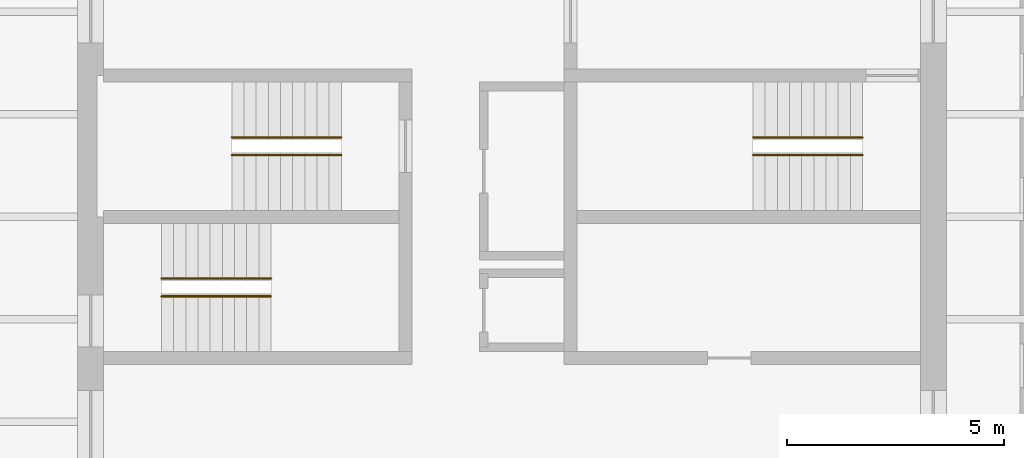
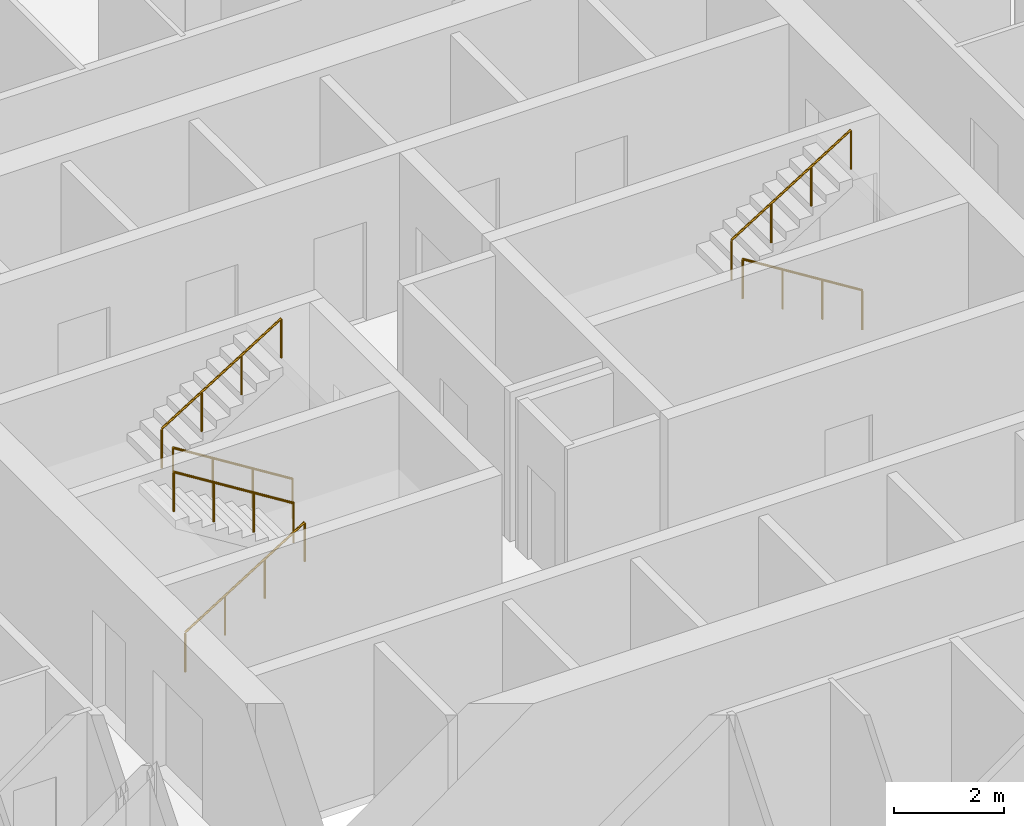
# One storey, part 9 of 9: 6 railings.
"""IFC4 building model written with IfcOpenShell, lengths in metres."""

from ifc_helpers import new_model, si_unit, direction, frame, origin, origin_2d, place, context, subcontext, project, spatial, circle, extrude, material, type_object, element, save


model = new_model("IFC4")

# Units and contexts
model_context = context("Model", 3, precision=1e-05, world=origin(), true_north=direction((0.0, 1.0)))
body_context = subcontext(model_context, "Body", "Model", "MODEL_VIEW")
ifc_project = project(units=[si_unit("LENGTHUNIT", "METRE"), si_unit("AREAUNIT", "SQUARE_METRE"), si_unit("VOLUMEUNIT", "CUBIC_METRE"), si_unit("PLANEANGLEUNIT", "RADIAN"), si_unit("MASSUNIT", "GRAM", prefix="KILO")], contexts=[model_context])

# Site, building, storey
site_placement = place(None, origin())
site = spatial("IfcSite", under=ifc_project, at=site_placement, CompositionType="ELEMENT")
building_placement = place(site_placement, origin())
building = spatial("IfcBuilding", under=site, at=building_placement, Name="Turquesa Mirador Hotel Tower", CompositionType="ELEMENT")
storey_placement = place(building_placement, frame((0.0, 0.0, 145.89990234375)))
storey = spatial("IfcBuildingStorey", under=building, at=storey_placement, Name="L39", CompositionType="ELEMENT", Elevation=145.89990234375)

# Railings
ifc_material = material(Name="Painted steel handrail", Category="steel")
railing_type = type_object("IfcRailingType", Name="HANDRAIL 900 STEEL", PredefinedType="HANDRAIL", material=ifc_material)
railing_1_placement = place(storey_placement, frame((51.070068359375, 46.419921875, 0.175048828125)))
element("IfcRailing", 1, at=railing_1_placement, inside=storey, type_object=railing_type, Name="Handrail ST1", PredefinedType="HANDRAIL", context=body_context, shape_type="SweptSolid", body=[
    extrude(circle(Radius=0.02392578125, at=origin_2d()), frame((0.0, 0.0, 0.8759765625), z_axis=(-0.848007534815, 0.0, 0.529984170421), x_axis=(0.0, -1.0, 0.0)), (0.0, 0.0, 1.0), 2.9716796875),
    extrude(circle(Radius=0.02099609375, at=origin_2d()), origin(), (0.0, 0.0, 1.0), 0.851806640625),
    extrude(circle(Radius=0.02099609375, at=origin_2d()), frame((-0.840087890625, 0.0, 0.52490234375)), (0.0, 0.0, 1.0), 0.851806640625),
    extrude(circle(Radius=0.02099609375, at=origin_2d()), frame((-1.679931640625, 0.0, 1.050048828125)), (0.0, 0.0, 1.0), 0.851806640625),
    extrude(circle(Radius=0.02099609375, at=origin_2d()), frame((-2.52001953125, 0.0, 1.574951171875)), (0.0, 0.0, 1.0), 0.851806640625),
])
for number, where, name in (
    (2, (48.550048828125, 46.830078125, 1.925048828125), "Handrail ST1"),
    (3, (46.929931640625, 43.169921875, 0.175048828125), "Handrail ST2"),
):
    element("IfcRailing", number, at=place(storey_placement, frame(where)), inside=storey, type_object=railing_type, Name=name, PredefinedType="HANDRAIL", context=body_context, shape_type="SweptSolid", body=[
        extrude(circle(Radius=0.02392578125, at=origin_2d()), frame((0.0, 0.0, 0.8759765625), z_axis=(0.848007534815, 0.0, 0.529984170421), x_axis=(0.0, 1.0, 0.0)), (0.0, 0.0, 1.0), 2.9716796875),
        extrude(circle(Radius=0.02099609375, at=origin_2d()), origin(), (0.0, 0.0, 1.0), 0.851806640625),
        extrude(circle(Radius=0.02099609375, at=origin_2d()), frame((0.840087890625, 0.0, 0.52490234375)), (0.0, 0.0, 1.0), 0.851806640625),
        extrude(circle(Radius=0.02099609375, at=origin_2d()), frame((1.679931640625, 0.0, 1.050048828125)), (0.0, 0.0, 1.0), 0.851806640625),
        extrude(circle(Radius=0.02099609375, at=origin_2d()), frame((2.52001953125, 0.0, 1.574951171875)), (0.0, 0.0, 1.0), 0.851806640625),
    ])
for number, where, name in (
    (4, (49.449951171875, 43.580078125, 1.925048828125), "Handrail ST2"),
    (5, (63.070068359375, 46.419921875, 0.175048828125), "Handrail ST3"),
):
    element("IfcRailing", number, at=place(storey_placement, frame(where)), inside=storey, type_object=railing_type, Name=name, PredefinedType="HANDRAIL", context=body_context, shape_type="SweptSolid", body=[
        extrude(circle(Radius=0.02392578125, at=origin_2d()), frame((0.0, 0.0, 0.8759765625), z_axis=(-0.848007534815, 0.0, 0.529984170421), x_axis=(0.0, -1.0, 0.0)), (0.0, 0.0, 1.0), 2.9716796875),
        extrude(circle(Radius=0.02099609375, at=origin_2d()), origin(), (0.0, 0.0, 1.0), 0.851806640625),
        extrude(circle(Radius=0.02099609375, at=origin_2d()), frame((-0.840087890625, 0.0, 0.52490234375)), (0.0, 0.0, 1.0), 0.851806640625),
        extrude(circle(Radius=0.02099609375, at=origin_2d()), frame((-1.679931640625, 0.0, 1.050048828125)), (0.0, 0.0, 1.0), 0.851806640625),
        extrude(circle(Radius=0.02099609375, at=origin_2d()), frame((-2.52001953125, 0.0, 1.574951171875)), (0.0, 0.0, 1.0), 0.851806640625),
    ])
railing_2_placement = place(storey_placement, frame((60.550048828125, 46.830078125, 1.925048828125)))
element("IfcRailing", 6, at=railing_2_placement, inside=storey, type_object=railing_type, Name="Handrail ST3", PredefinedType="HANDRAIL", context=body_context, shape_type="SweptSolid", body=[
    extrude(circle(Radius=0.02392578125, at=origin_2d()), frame((0.0, 0.0, 0.8759765625), z_axis=(0.848007534815, 0.0, 0.529984170421), x_axis=(0.0, 1.0, 0.0)), (0.0, 0.0, 1.0), 2.9716796875),
    extrude(circle(Radius=0.02099609375, at=origin_2d()), origin(), (0.0, 0.0, 1.0), 0.851806640625),
    extrude(circle(Radius=0.02099609375, at=origin_2d()), frame((0.840087890625, 0.0, 0.52490234375)), (0.0, 0.0, 1.0), 0.851806640625),
    extrude(circle(Radius=0.02099609375, at=origin_2d()), frame((1.679931640625, 0.0, 1.050048828125)), (0.0, 0.0, 1.0), 0.851806640625),
    extrude(circle(Radius=0.02099609375, at=origin_2d()), frame((2.52001953125, 0.0, 1.574951171875)), (0.0, 0.0, 1.0), 0.851806640625),
])

save(model, "model.ifc")
